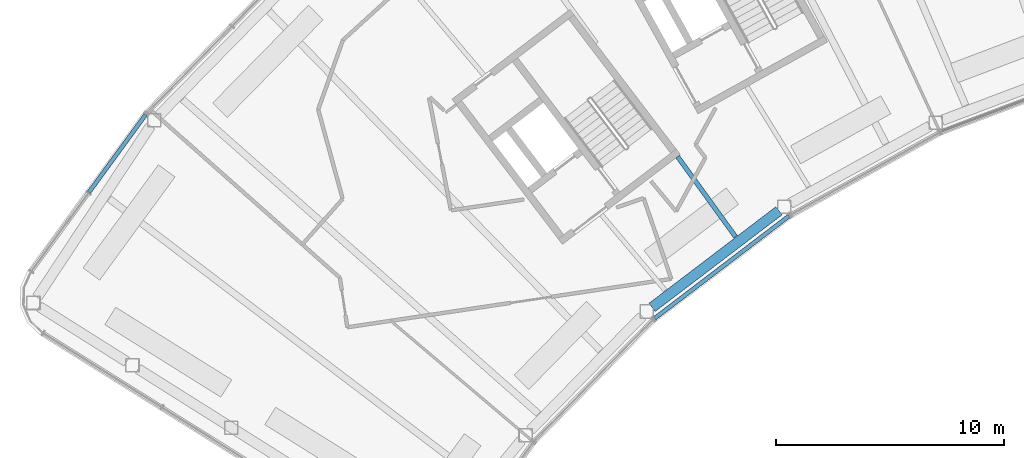
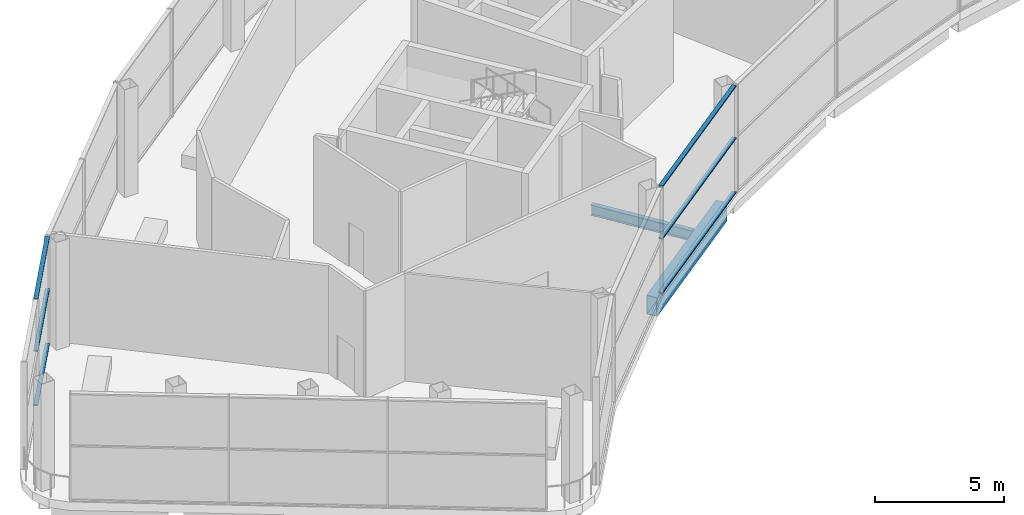
# One storey, part 7 of 43: 6 members, 2 beams, 2 elements without a shape of their own.
"""IFC4 building model written with IfcOpenShell, lengths in metres."""

from ifc_helpers import new_model, si_unit, direction, frame, origin, origin_2d, place, context, subcontext, project, spatial, hollow_rectangle, i_section, extrude, material, layer, layer_set, material_profile, profile_set, type_object, element, aggregate, save


model = new_model("IFC4")

# Units and contexts
model_context = context("Model", 3, precision=1e-05, world=origin(), true_north=direction((0.0, 1.0)))
body_context = subcontext(model_context, "Body", "Model", "MODEL_VIEW")
ifc_project = project(units=[si_unit("LENGTHUNIT", "METRE"), si_unit("AREAUNIT", "SQUARE_METRE"), si_unit("VOLUMEUNIT", "CUBIC_METRE"), si_unit("PLANEANGLEUNIT", "RADIAN"), si_unit("MASSUNIT", "GRAM", prefix="KILO")], contexts=[model_context])

# Site, building, storey
site_placement = place(None, origin())
site = spatial("IfcSite", under=ifc_project, at=site_placement, CompositionType="ELEMENT")
building_placement = place(site_placement, origin())
building = spatial("IfcBuilding", under=site, at=building_placement, Name="Tuul Gate Civic Tower", CompositionType="ELEMENT")
storey_placement = place(building_placement, frame((0.0, 0.0, 349.10009765625)))
storey = spatial("IfcBuildingStorey", under=building, at=storey_placement, Name="Observation level 1", CompositionType="ELEMENT", Elevation=349.10009765625)

# Curtain wall, members
ifc_material_1 = material(Name="Stainless steel", Category="steel")
ifc_layer = layer(ifc_material_1, 0.199951171875)
ifc_layer_set = layer_set([ifc_layer], Name="Stainless steel")
curtain_wall_type = type_object("IfcCurtainWallType", Name="Curtain wall CW4", PredefinedType="NOTDEFINED", material=ifc_layer_set)
curtain_wall_1_placement = place(storey_placement, origin())
curtain_wall_1 = element("IfcCurtainWall", 1, at=curtain_wall_1_placement, inside=storey, type_object=curtain_wall_type, Name="Curtain wall CW4", PredefinedType="NOTDEFINED")
ifc_material_2 = material(Name="Stainless steel", Category="steel")
ifc_material_profile_1 = material_profile(ifc_material_2, hollow_rectangle(XDim=0.179931640625, YDim=0.06005859375, WallThickness=0.006103515625, at=origin_2d()), Name="CW4 transom")
ifc_profile_set_1 = profile_set([ifc_material_profile_1], Name="Stainless steel")
member_type = type_object("IfcMemberType", Name="CW4 transom", PredefinedType="USERDEFINED", material=ifc_profile_set_1)
member_1_placement = place(storey_placement, frame((-54.559326171875, -12.04443359375, 0.02978515625), z_axis=(-0.589749140604, -0.807586497631, 0.0), x_axis=(0.807586497631, -0.589749140604, 0.0)))
member_1 = element("IfcMember", 2, at=member_1_placement, type_object=member_type, Name="Transom", ObjectType="TRANSOM", PredefinedType="USERDEFINED", context=body_context, shape_type="SweptSolid", body=[
    extrude(hollow_rectangle(XDim=0.179931640625, YDim=0.06005859375, WallThickness=0.006103515625, at=origin_2d()), origin(), (0.0, 0.0, 1.0), 4.211669921875),
])
member_2_placement = place(storey_placement, frame((-54.559326171875, -12.04443359375, 2.599853515625), z_axis=(-0.589749140604, -0.807586497631, 0.0), x_axis=(0.807586497631, -0.589749140604, 0.0)))
member_2 = element("IfcMember", 3, at=member_2_placement, type_object=member_type, Name="Transom", ObjectType="TRANSOM", PredefinedType="USERDEFINED", context=body_context, shape_type="SweptSolid", body=[
    extrude(hollow_rectangle(XDim=0.179931640625, YDim=0.06005859375, WallThickness=0.006103515625, at=origin_2d()), origin(), (0.0, 0.0, 1.0), 4.211669921875),
])
member_3_placement = place(storey_placement, frame((-54.559326171875, -12.04443359375, 5.06982421875), z_axis=(-0.589749140604, -0.807586497631, 0.0), x_axis=(0.807586497631, -0.589749140604, 0.0)))
member_3 = element("IfcMember", 4, at=member_3_placement, type_object=member_type, Name="Transom", ObjectType="TRANSOM", PredefinedType="USERDEFINED", context=body_context, shape_type="SweptSolid", body=[
    extrude(hollow_rectangle(XDim=0.179931640625, YDim=0.06005859375, WallThickness=0.006103515625, at=origin_2d()), origin(), (0.0, 0.0, 1.0), 4.211669921875),
])
aggregate(curtain_wall_1, [member_1, member_2, member_3])

curtain_wall_2_placement = place(storey_placement, origin())
curtain_wall_2 = element("IfcCurtainWall", 5, at=curtain_wall_2_placement, inside=storey, type_object=curtain_wall_type, Name="Curtain wall CW4", PredefinedType="NOTDEFINED")
member_4_placement = place(storey_placement, frame((-32.228271484375, -20.9775390625, 0.02978515625), z_axis=(0.795580003279, 0.605848544095, 0.0), x_axis=(-0.605848544095, 0.795580003279, 0.0)))
member_4 = element("IfcMember", 6, at=member_4_placement, type_object=member_type, Name="Transom", ObjectType="TRANSOM", PredefinedType="USERDEFINED", context=body_context, shape_type="SweptSolid", body=[
    extrude(hollow_rectangle(XDim=0.179931640625, YDim=0.06005859375, WallThickness=0.006103515625, at=origin_2d()), origin(), (0.0, 0.0, 1.0), 7.40673828125),
])
member_5_placement = place(storey_placement, frame((-32.228271484375, -20.9775390625, 2.599853515625), z_axis=(0.795580003279, 0.605848544095, 0.0), x_axis=(-0.605848544095, 0.795580003279, 0.0)))
member_5 = element("IfcMember", 7, at=member_5_placement, type_object=member_type, Name="Transom", ObjectType="TRANSOM", PredefinedType="USERDEFINED", context=body_context, shape_type="SweptSolid", body=[
    extrude(hollow_rectangle(XDim=0.179931640625, YDim=0.06005859375, WallThickness=0.006103515625, at=origin_2d()), origin(), (0.0, 0.0, 1.0), 7.40673828125),
])
member_6_placement = place(storey_placement, frame((-32.228271484375, -20.9775390625, 5.06982421875), z_axis=(0.795580003279, 0.605848544095, 0.0), x_axis=(-0.605848544095, 0.795580003279, 0.0)))
member_6 = element("IfcMember", 8, at=member_6_placement, type_object=member_type, Name="Transom", ObjectType="TRANSOM", PredefinedType="USERDEFINED", context=body_context, shape_type="SweptSolid", body=[
    extrude(hollow_rectangle(XDim=0.179931640625, YDim=0.06005859375, WallThickness=0.006103515625, at=origin_2d()), origin(), (0.0, 0.0, 1.0), 7.40673828125),
])
aggregate(curtain_wall_2, [member_4, member_5, member_6])

# Beams
ifc_material_3 = material(Name="Steel S355", Category="steel")
ifc_material_profile_2 = material_profile(ifc_material_3, i_section(OverallWidth=0.199951171875, OverallDepth=0.5, WebThickness=0.010009765625, FlangeThickness=0.01611328125, at=origin_2d()), Name="PG500x200x10x16")
ifc_profile_set_2 = profile_set([ifc_material_profile_2], Name="Steel S355")
beam_type_1 = type_object("IfcBeamType", Name="STR-FLOOR BEAM-PG500x200x10x16", PredefinedType="BEAM", material=ifc_profile_set_2)
beam_1_placement = place(storey_placement, frame((-28.677734375, -17.393310546875, -0.650146484375), z_axis=(-0.586074177431, 0.81025740265, 0.0), x_axis=(-0.81025740265, -0.586074177431, 0.0)))
element("IfcBeam", 9, at=beam_1_placement, inside=storey, type_object=beam_type_1, Name="Floor beam", PredefinedType="BEAM", context=body_context, shape_type="SweptSolid", body=[
    extrude(i_section(OverallWidth=0.199951171875, OverallDepth=0.5, WebThickness=0.010009765625, FlangeThickness=0.01611328125, at=origin_2d()), origin(), (0.0, 0.0, 1.0), 4.33642578125),
])
ifc_material_4 = material(Name="Steel S355", Category="steel")
ifc_material_profile_3 = material_profile(ifc_material_4, hollow_rectangle(XDim=0.449951171875, YDim=0.89990234375, WallThickness=0.02490234375, at=origin_2d()), Name="BOX900x450x25")
ifc_profile_set_3 = profile_set([ifc_material_profile_3], Name="Steel S355")
beam_type_2 = type_object("IfcBeamType", Name="STR-SPANDREL BEAM-BOX900x450x25", PredefinedType="BEAM", material=ifc_profile_set_3)
beam_2_placement = place(storey_placement, frame((-32.33642578125, -20.4931640625, -0.85009765625), z_axis=(0.795633676081, 0.605778056293, 0.0), x_axis=(-0.605778056293, 0.795633676081, 0.0)))
element("IfcBeam", 10, at=beam_2_placement, inside=storey, type_object=beam_type_2, Name="Spandrel beam", PredefinedType="BEAM", context=body_context, shape_type="SweptSolid", body=[
    extrude(hollow_rectangle(XDim=0.449951171875, YDim=0.89990234375, WallThickness=0.02490234375, at=origin_2d()), origin(), (0.0, 0.0, 1.0), 6.99169921875),
])

save(model, "model.ifc")
